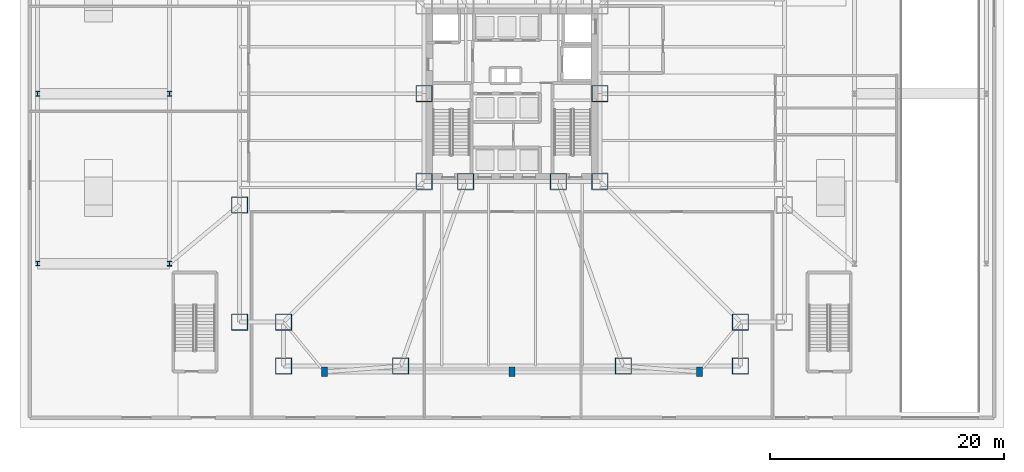
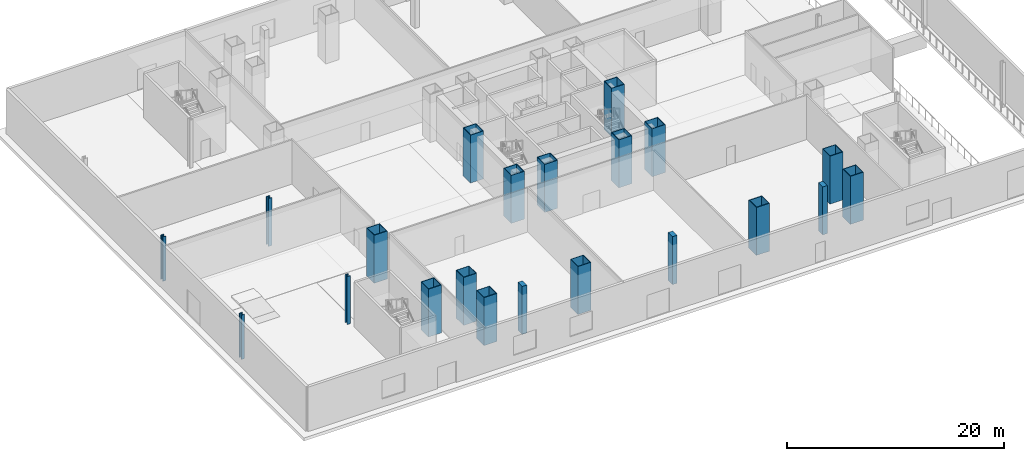
# One storey, part 1 of 24: 21 columns.
"""IFC4 building model written with IfcOpenShell, lengths in metres."""

from ifc_helpers import new_model, si_unit, direction, frame, origin, origin_2d, place, context, subcontext, project, spatial, rectangle, hollow_rectangle, i_section, extrude, material, material_profile, profile_set, type_object, element, save


model = new_model("IFC4")

# Units and contexts
model_context = context("Model", 3, precision=1e-05, world=origin(), true_north=direction((0.0, 1.0)))
body_context = subcontext(model_context, "Body", "Model", "MODEL_VIEW")
ifc_project = project(units=[si_unit("LENGTHUNIT", "METRE"), si_unit("AREAUNIT", "SQUARE_METRE"), si_unit("VOLUMEUNIT", "CUBIC_METRE"), si_unit("PLANEANGLEUNIT", "RADIAN"), si_unit("MASSUNIT", "GRAM", prefix="KILO")], contexts=[model_context])

# Site, building, storey
site_placement = place(None, origin())
site = spatial("IfcSite", under=ifc_project, at=site_placement, CompositionType="ELEMENT")
building_placement = place(site_placement, origin())
building = spatial("IfcBuilding", under=site, at=building_placement, Name="Trevonay Congress Spire", CompositionType="ELEMENT")
storey_placement = place(building_placement, origin())
storey = spatial("IfcBuildingStorey", under=building, at=storey_placement, Name="L00", CompositionType="ELEMENT", Elevation=0.0)

# Columns
ifc_material_1 = material(Name="Steel ASTM A572 Grade 50", Category="steel")
ifc_material_profile_1 = material_profile(ifc_material_1, hollow_rectangle(XDim=1.39990234375, YDim=1.39990234375, WallThickness=0.06005859375, at=origin_2d()), Name="BOX 1400x1400x60")
ifc_profile_set_1 = profile_set([ifc_material_profile_1], Name="Steel ASTM A572 Grade 50")
column_type_1 = type_object("IfcColumnType", Name="COL-CORE-BOX1400", PredefinedType="COLUMN", material=ifc_profile_set_1)
for number, where, z_axis, x_axis, name in (
    (1, (-7.5, -7.5, 0.0), (0.0, 0.0, 1.0), (1.0, 0.0, 0.0), "L00 column C01 at CC-SW"),
    (2, (-3.949951171875, -7.5, 0.0), (0.0, 0.0, 1.0), (1.0, 0.0, 0.0), "L00 column C01 at CC-SMW"),
    (3, (3.949951171875, -7.5, 0.0), (0.0, 0.0, 1.0), (1.0, 0.0, 0.0), "L00 column C01 at CC-SME"),
    (4, (7.5, -7.5, 0.0), (0.0, 0.0, 1.0), (1.0, 0.0, 0.0), "L00 column C01 at CC-SE"),
    (5, (7.5, 0.0, 0.0), (0.0, 0.0, 1.0), (1.0, 0.0, 0.0), "L00 column C01 at CC-E"),
    (6, (-7.5, 0.0, 0.0), (0.0, 0.0, 1.0), (1.0, 0.0, 0.0), "L00 column C01 at CC-W"),
    (7, (-19.5, -23.25, 0.0), (0.0, 0.0, 1.0), (1.0, 0.0, 0.0), "L00 column C01 at TM-S1"),
    (8, (-9.5, -23.25, 0.0), (0.0, 0.0, 1.0), (1.0, 0.0, 0.0), "L00 column C01 at TM-S2"),
    (9, (9.5, -23.25, 0.0), (0.0, 0.0, 1.0), (1.0, 0.0, 0.0), "L00 column C01 at TM-S5"),
    (10, (19.5, -23.25, 0.0), (0.0, 0.0, 1.0), (1.0, 0.0, 0.0), "L00 column C01 at TM-S6"),
    (11, (-23.25, -19.5, 0.0), (0.0, 0.0, 1.0), (1.0, 0.0, 0.0), "L00 column C01 at TM-W1"),
    (12, (-23.25, -9.5, 0.0), (0.0, 0.0, 1.0), (1.0, 0.0, 0.0), "L00 column C01 at TM-W2"),
    (13, (-19.5, -19.5, 0.0), (0.0, 0.0, 1.0), (1.0, 0.0, 0.0), "L00 column C01 at TM-CSW"),
    (14, (19.5, -19.5, 0.0), (0.0, 0.0, 1.0), (1.0, 0.0, 0.0), "L00 column C01 at TM-CSE"),
):
    element("IfcColumn", number, at=place(storey_placement, frame(where, z_axis=z_axis, x_axis=x_axis)), inside=storey, type_object=column_type_1, Name=name, PredefinedType="COLUMN", context=body_context, shape_type="SweptSolid", body=[
        extrude(hollow_rectangle(XDim=1.39990234375, YDim=1.39990234375, WallThickness=0.06005859375, at=origin_2d()), origin(), (0.0, 0.0, 1.0), 5.39990234375),
    ])
ifc_material_2 = material(Name="Concrete C60/75", Category="concrete")
ifc_material_profile_2 = material_profile(ifc_material_2, rectangle(XDim=0.5, YDim=0.800048828125, at=origin_2d()), Name="RC 800x500")
ifc_profile_set_2 = profile_set([ifc_material_profile_2], Name="Concrete C60/75")
column_type_2 = type_object("IfcColumnType", Name="COL-PIL-RC800X500", PredefinedType="PILASTER", material=ifc_profile_set_2)
for number, where, z_axis, x_axis, name in (
    (15, (-16.0, -23.75, 0.0), (0.0, 0.0, 1.0), (1.0, 0.0, 0.0), "L00 column C13 at PS-1"),
    (16, (0.0, -23.75, 0.0), (0.0, 0.0, 1.0), (1.0, 0.0, 0.0), "L00 column C13 at PS-2"),
    (17, (16.0, -23.75, 0.0), (0.0, 0.0, 1.0), (1.0, 0.0, 0.0), "L00 column C13 at PS-3"),
):
    element("IfcColumn", number, at=place(storey_placement, frame(where, z_axis=z_axis, x_axis=x_axis)), inside=storey, type_object=column_type_2, Name=name, PredefinedType="PILASTER", context=body_context, shape_type="SweptSolid", body=[
        extrude(rectangle(XDim=0.5, YDim=0.800048828125, at=origin_2d()), origin(), (0.0, 0.0, 1.0), 5.39990234375),
    ])
ifc_material_profile_3 = material_profile(ifc_material_1, i_section(OverallWidth=0.367919921875, OverallDepth=0.425048828125, WebThickness=0.02978515625, FlangeThickness=0.047607421875, FilletRadius=0.02001953125, at=origin_2d()), Name="W360x421")
ifc_profile_set_3 = profile_set([ifc_material_profile_3], Name="Steel ASTM A572 Grade 50")
column_type_3 = type_object("IfcColumnType", Name="COL-POD-W360X421", PredefinedType="COLUMN", material=ifc_profile_set_3)
for number, where, z_axis, x_axis, name in (
    (18, (-29.25, -14.5, 0.0), (0.0, 0.0, 1.0), (1.0, 0.0, 0.0), "L00 column C08 at PW-1"),
    (19, (-29.25, 0.0, 0.0), (0.0, 0.0, 1.0), (1.0, 0.0, 0.0), "L00 column C08 at PW-2"),
):
    element("IfcColumn", number, at=place(storey_placement, frame(where, z_axis=z_axis, x_axis=x_axis)), inside=storey, type_object=column_type_3, Name=name, PredefinedType="COLUMN", context=body_context, shape_type="SweptSolid", body=[
        extrude(i_section(OverallWidth=0.367919921875, OverallDepth=0.425048828125, WebThickness=0.02978515625, FlangeThickness=0.047607421875, FilletRadius=0.02001953125, at=origin_2d()), origin(), (0.0, 0.0, 1.0), 5.39990234375),
    ])
ifc_material_profile_4 = material_profile(ifc_material_1, i_section(OverallWidth=0.35205078125, OverallDepth=0.406982421875, WebThickness=0.024658203125, FlangeThickness=0.039794921875, FilletRadius=0.02001953125, at=origin_2d()), Name="W360x347")
ifc_profile_set_4 = profile_set([ifc_material_profile_4], Name="Steel ASTM A572 Grade 50")
column_type_4 = type_object("IfcColumnType", Name="COL-STEP-W360X347", PredefinedType="COLUMN", material=ifc_profile_set_4)
for number, where, z_axis, x_axis, name in (
    (20, (-40.5, -14.5, 0.0), (0.0, 0.0, 1.0), (1.0, 0.0, 0.0), "L00 column C09 at EXW-1"),
    (21, (-40.5, 0.0, 0.0), (0.0, 0.0, 1.0), (1.0, 0.0, 0.0), "L00 column C09 at EXW-2"),
):
    element("IfcColumn", number, at=place(storey_placement, frame(where, z_axis=z_axis, x_axis=x_axis)), inside=storey, type_object=column_type_4, Name=name, PredefinedType="COLUMN", context=body_context, shape_type="SweptSolid", body=[
        extrude(i_section(OverallWidth=0.35205078125, OverallDepth=0.406982421875, WebThickness=0.024658203125, FlangeThickness=0.039794921875, FilletRadius=0.02001953125, at=origin_2d()), origin(), (0.0, 0.0, 1.0), 5.0),
    ])

save(model, "model.ifc")
